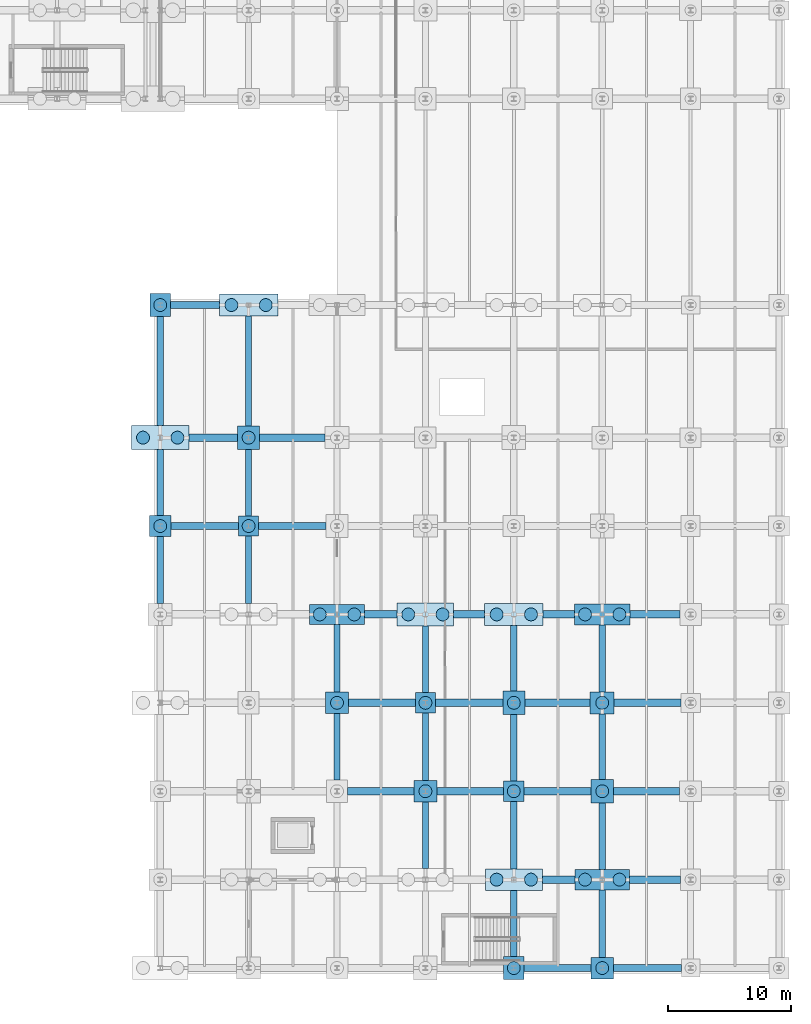
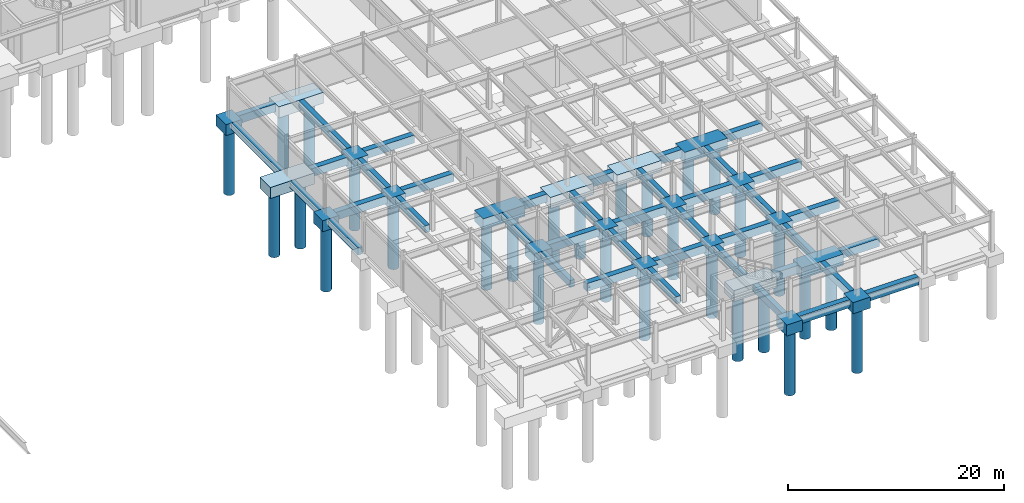
# One storey, part 9 of 54: 61 footings, 29 piles.
"""IFC4 building model written with IfcOpenShell, lengths in metres."""

from ifc_helpers import new_model, si_unit, direction, frame, origin, origin_2d, place, context, subcontext, project, spatial, polyline, rectangle, circle, outline, extrude, material, material_profile, profile_set, type_object, element, save


model = new_model("IFC4")

# Units and contexts
model_context = context("Model", 3, precision=1e-05, world=origin(), true_north=direction((0.0, 1.0)))
body_context = subcontext(model_context, "Body", "Model", "MODEL_VIEW")
ifc_project = project(units=[si_unit("LENGTHUNIT", "METRE"), si_unit("AREAUNIT", "SQUARE_METRE"), si_unit("VOLUMEUNIT", "CUBIC_METRE"), si_unit("PLANEANGLEUNIT", "RADIAN"), si_unit("MASSUNIT", "GRAM", prefix="KILO")], contexts=[model_context])

# Site, building, storey
site_placement = place(None, origin())
site = spatial("IfcSite", under=ifc_project, at=site_placement, CompositionType="ELEMENT")
building_placement = place(site_placement, origin())
building = spatial("IfcBuilding", under=site, at=building_placement, Name="Vaelcorin Mobility Hub", CompositionType="ELEMENT")
storey_placement = place(building_placement, frame((0.0, 0.0, -4.5)))
storey = spatial("IfcBuildingStorey", under=building, at=storey_placement, Name="B1", CompositionType="ELEMENT", Elevation=-4.5)

# Footings
ifc_material = material(Name="Concrete f'c 40 MPa", Category="concrete")
footing_type_1 = type_object("IfcFootingType", Name="FB-500X800", PredefinedType="FOOTING_BEAM", material=ifc_material)
footing_1_placement = place(storey_placement, frame((0.0, 0.0, -0.800048828125)))
element("IfcFooting", 1, at=footing_1_placement, inside=storey, type_object=footing_type_1, Name="Foundation Tie Beam FB-Y-374", PredefinedType="FOOTING_BEAM", context=body_context, shape_type="SweptSolid", body=[
    extrude(outline(polyline([(153.35009765625, 35.699951171875), (153.85009765625, 35.699951171875), (153.85009765625, 41.14990234375), (153.35009765625, 41.14990234375), (153.35009765625, 35.699951171875)])), origin(), (0.0, 0.0, 1.0), 0.800048828125),
])
footing_2_placement = place(storey_placement, frame((0.0, 0.0, -0.800048828125)))
element("IfcFooting", 2, at=footing_2_placement, inside=storey, type_object=footing_type_1, Name="Foundation Tie Beam FB-Y-375", PredefinedType="FOOTING_BEAM", context=body_context, shape_type="SweptSolid", body=[
    extrude(outline(polyline([(153.35009765625, 42.85009765625), (153.85009765625, 42.85009765625), (153.85009765625, 48.22509765625), (153.35009765625, 48.22509765625), (153.35009765625, 42.85009765625)])), origin(), (0.0, 0.0, 1.0), 0.800048828125),
])
footing_3_placement = place(storey_placement, frame((0.0, 0.0, -0.800048828125)))
element("IfcFooting", 3, at=footing_3_placement, inside=storey, type_object=footing_type_1, Name="Foundation Tie Beam FB-Y-376", PredefinedType="FOOTING_BEAM", context=body_context, shape_type="SweptSolid", body=[
    extrude(outline(polyline([(153.35009765625, 50.175048828125), (153.85009765625, 50.175048828125), (153.85009765625, 59.074951171875), (153.35009765625, 59.074951171875), (153.35009765625, 50.175048828125)])), origin(), (0.0, 0.0, 1.0), 0.800048828125),
])
footing_4_placement = place(storey_placement, frame((0.0, 0.0, -0.800048828125)))
element("IfcFooting", 4, at=footing_4_placement, inside=storey, type_object=footing_type_1, Name="Foundation Tie Beam FB-Y-386", PredefinedType="FOOTING_BEAM", context=body_context, shape_type="SweptSolid", body=[
    extrude(outline(polyline([(160.550048828125, 35.675048828125), (161.050048828125, 35.675048828125), (161.050048828125, 41.175048828125), (160.550048828125, 41.175048828125), (160.550048828125, 35.675048828125)])), origin(), (0.0, 0.0, 1.0), 0.800048828125),
])
footing_5_placement = place(storey_placement, frame((0.0, 0.0, -0.800048828125)))
element("IfcFooting", 5, at=footing_5_placement, inside=storey, type_object=footing_type_1, Name="Foundation Tie Beam FB-Y-387", PredefinedType="FOOTING_BEAM", context=body_context, shape_type="SweptSolid", body=[
    extrude(outline(polyline([(160.550048828125, 42.824951171875), (161.050048828125, 42.824951171875), (161.050048828125, 48.25), (160.550048828125, 48.25), (160.550048828125, 42.824951171875)])), origin(), (0.0, 0.0, 1.0), 0.800048828125),
])
footing_6_placement = place(storey_placement, frame((0.0, 0.0, -0.800048828125)))
element("IfcFooting", 6, at=footing_6_placement, inside=storey, type_object=footing_type_1, Name="Foundation Tie Beam FB-Y-388", PredefinedType="FOOTING_BEAM", context=body_context, shape_type="SweptSolid", body=[
    extrude(outline(polyline([(160.550048828125, 50.14990234375), (161.050048828125, 50.14990234375), (161.050048828125, 59.10009765625), (160.550048828125, 59.10009765625), (160.550048828125, 50.14990234375)])), origin(), (0.0, 0.0, 1.0), 0.800048828125),
])
footing_7_placement = place(storey_placement, frame((0.0, 0.0, -0.800048828125)))
element("IfcFooting", 7, at=footing_7_placement, inside=storey, type_object=footing_type_1, Name="Foundation Tie Beam FB-Y-397", PredefinedType="FOOTING_BEAM", context=body_context, shape_type="SweptSolid", body=[
    extrude(outline(polyline([(167.75, 21.324951171875), (168.25, 21.324951171875), (168.25, 26.72509765625), (167.75, 26.72509765625), (167.75, 21.324951171875)])), origin(), (0.0, 0.0, 1.0), 0.800048828125),
])
footing_8_placement = place(storey_placement, frame((0.0, 0.0, -0.800048828125)))
element("IfcFooting", 8, at=footing_8_placement, inside=storey, type_object=footing_type_1, Name="Foundation Tie Beam FB-Y-398", PredefinedType="FOOTING_BEAM", context=body_context, shape_type="SweptSolid", body=[
    extrude(outline(polyline([(167.75, 28.47509765625), (168.25, 28.47509765625), (168.25, 33.97509765625), (167.75, 33.97509765625), (167.75, 28.47509765625)])), origin(), (0.0, 0.0, 1.0), 0.800048828125),
])
footing_9_placement = place(storey_placement, frame((0.0, 0.0, -0.800048828125)))
element("IfcFooting", 9, at=footing_9_placement, inside=storey, type_object=footing_type_1, Name="Foundation Tie Beam FB-Y-409", PredefinedType="FOOTING_BEAM", context=body_context, shape_type="SweptSolid", body=[
    extrude(outline(polyline([(174.949951171875, 14.125), (175.449951171875, 14.125), (175.449951171875, 19.52490234375), (174.949951171875, 19.52490234375), (174.949951171875, 14.125)])), origin(), (0.0, 0.0, 1.0), 0.800048828125),
])
footing_10_placement = place(storey_placement, frame((0.0, 0.0, -0.800048828125)))
element("IfcFooting", 10, at=footing_10_placement, inside=storey, type_object=footing_type_1, Name="Foundation Tie Beam FB-Y-410", PredefinedType="FOOTING_BEAM", context=body_context, shape_type="SweptSolid", body=[
    extrude(outline(polyline([(174.949951171875, 21.27490234375), (175.449951171875, 21.27490234375), (175.449951171875, 26.77490234375), (174.949951171875, 26.77490234375), (174.949951171875, 21.27490234375)])), origin(), (0.0, 0.0, 1.0), 0.800048828125),
])
footing_11_placement = place(storey_placement, frame((0.0, 0.0, -0.800048828125)))
element("IfcFooting", 11, at=footing_11_placement, inside=storey, type_object=footing_type_1, Name="Foundation Tie Beam FB-Y-411", PredefinedType="FOOTING_BEAM", context=body_context, shape_type="SweptSolid", body=[
    extrude(outline(polyline([(174.949951171875, 28.425048828125), (175.449951171875, 28.425048828125), (175.449951171875, 33.85009765625), (174.949951171875, 33.85009765625), (174.949951171875, 28.425048828125)])), origin(), (0.0, 0.0, 1.0), 0.800048828125),
])
footing_12_placement = place(storey_placement, frame((0.0, 0.0, -0.800048828125)))
element("IfcFooting", 12, at=footing_12_placement, inside=storey, type_object=footing_type_1, Name="Foundation Tie Beam FB-Y-421", PredefinedType="FOOTING_BEAM", context=body_context, shape_type="SweptSolid", body=[
    extrude(outline(polyline([(182.14990234375, 6.925048828125), (182.64990234375, 6.925048828125), (182.64990234375, 12.324951171875), (182.14990234375, 12.324951171875), (182.14990234375, 6.925048828125)])), origin(), (0.0, 0.0, 1.0), 0.800048828125),
])
footing_13_placement = place(storey_placement, frame((0.0, 0.0, -0.800048828125)))
element("IfcFooting", 13, at=footing_13_placement, inside=storey, type_object=footing_type_1, Name="Foundation Tie Beam FB-Y-422", PredefinedType="FOOTING_BEAM", context=body_context, shape_type="SweptSolid", body=[
    extrude(outline(polyline([(182.14990234375, 14.074951171875), (182.64990234375, 14.074951171875), (182.64990234375, 19.574951171875), (182.14990234375, 19.574951171875), (182.14990234375, 14.074951171875)])), origin(), (0.0, 0.0, 1.0), 0.800048828125),
])
footing_14_placement = place(storey_placement, frame((0.0, 0.0, -0.800048828125)))
element("IfcFooting", 14, at=footing_14_placement, inside=storey, type_object=footing_type_1, Name="Foundation Tie Beam FB-Y-423", PredefinedType="FOOTING_BEAM", context=body_context, shape_type="SweptSolid", body=[
    extrude(outline(polyline([(182.14990234375, 21.22509765625), (182.64990234375, 21.22509765625), (182.64990234375, 26.64990234375), (182.14990234375, 26.64990234375), (182.14990234375, 21.22509765625)])), origin(), (0.0, 0.0, 1.0), 0.800048828125),
])
footing_15_placement = place(storey_placement, frame((0.0, 0.0, -0.800048828125)))
element("IfcFooting", 15, at=footing_15_placement, inside=storey, type_object=footing_type_1, Name="Foundation Tie Beam FB-Y-424", PredefinedType="FOOTING_BEAM", context=body_context, shape_type="SweptSolid", body=[
    extrude(outline(polyline([(182.14990234375, 28.550048828125), (182.64990234375, 28.550048828125), (182.64990234375, 33.89990234375), (182.14990234375, 33.89990234375), (182.14990234375, 28.550048828125)])), origin(), (0.0, 0.0, 1.0), 0.800048828125),
])
footing_16_placement = place(storey_placement, frame((0.0, 0.0, -0.800048828125)))
element("IfcFooting", 16, at=footing_16_placement, inside=storey, type_object=footing_type_1, Name="Foundation Tie Beam FB-Y-434", PredefinedType="FOOTING_BEAM", context=body_context, shape_type="SweptSolid", body=[
    extrude(outline(polyline([(189.35009765625, 6.875), (189.85009765625, 6.875), (189.85009765625, 12.375), (189.35009765625, 12.375), (189.35009765625, 6.875)])), origin(), (0.0, 0.0, 1.0), 0.800048828125),
])
footing_17_placement = place(storey_placement, frame((0.0, 0.0, -0.800048828125)))
element("IfcFooting", 17, at=footing_17_placement, inside=storey, type_object=footing_type_1, Name="Foundation Tie Beam FB-Y-435", PredefinedType="FOOTING_BEAM", context=body_context, shape_type="SweptSolid", body=[
    extrude(outline(polyline([(189.35009765625, 14.02490234375), (189.85009765625, 14.02490234375), (189.85009765625, 19.449951171875), (189.35009765625, 19.449951171875), (189.35009765625, 14.02490234375)])), origin(), (0.0, 0.0, 1.0), 0.800048828125),
])
footing_18_placement = place(storey_placement, frame((0.0, 0.0, -0.800048828125)))
element("IfcFooting", 18, at=footing_18_placement, inside=storey, type_object=footing_type_1, Name="Foundation Tie Beam FB-Y-436", PredefinedType="FOOTING_BEAM", context=body_context, shape_type="SweptSolid", body=[
    extrude(outline(polyline([(189.35009765625, 21.35009765625), (189.85009765625, 21.35009765625), (189.85009765625, 26.699951171875), (189.35009765625, 26.699951171875), (189.35009765625, 21.35009765625)])), origin(), (0.0, 0.0, 1.0), 0.800048828125),
])
footing_19_placement = place(storey_placement, frame((0.0, 0.0, -0.800048828125)))
element("IfcFooting", 19, at=footing_19_placement, inside=storey, type_object=footing_type_1, Name="Foundation Tie Beam FB-Y-437", PredefinedType="FOOTING_BEAM", context=body_context, shape_type="SweptSolid", body=[
    extrude(outline(polyline([(189.35009765625, 28.5), (189.85009765625, 28.5), (189.85009765625, 33.949951171875), (189.35009765625, 33.949951171875), (189.35009765625, 28.5)])), origin(), (0.0, 0.0, 1.0), 0.800048828125),
])
footing_type_2 = type_object("IfcFootingType", Name="FB-600X900", PredefinedType="FOOTING_BEAM", material=ifc_material)
footing_20_placement = place(storey_placement, frame((0.0, 0.0, -0.89990234375)))
element("IfcFooting", 20, at=footing_20_placement, inside=storey, type_object=footing_type_2, Name="Foundation Tie Beam FB-X-178", PredefinedType="FOOTING_BEAM", context=body_context, shape_type="SweptSolid", body=[
    extrude(outline(polyline([(183.25, 5.699951171875), (188.675048828125, 5.699951171875), (188.675048828125, 6.300048828125), (183.25, 6.300048828125), (183.25, 5.699951171875)])), origin(), (0.0, 0.0, 1.0), 0.89990234375),
])
footing_21_placement = place(storey_placement, frame((0.0, 0.0, -0.89990234375)))
element("IfcFooting", 21, at=footing_21_placement, inside=storey, type_object=footing_type_2, Name="Foundation Tie Beam FB-X-179", PredefinedType="FOOTING_BEAM", context=body_context, shape_type="SweptSolid", body=[
    extrude(outline(polyline([(190.52490234375, 5.699951171875), (196.050048828125, 5.699951171875), (196.050048828125, 6.300048828125), (190.52490234375, 6.300048828125), (190.52490234375, 5.699951171875)])), origin(), (0.0, 0.0, 1.0), 0.89990234375),
])
footing_22_placement = place(storey_placement, frame((0.0, 0.0, -0.89990234375)))
element("IfcFooting", 22, at=footing_22_placement, inside=storey, type_object=footing_type_2, Name="Foundation Tie Beam FB-X-201", PredefinedType="FOOTING_BEAM", context=body_context, shape_type="SweptSolid", body=[
    extrude(outline(polyline([(154.449951171875, 59.699951171875), (158.425048828125, 59.699951171875), (158.425048828125, 60.300048828125), (154.449951171875, 60.300048828125), (154.449951171875, 59.699951171875)])), origin(), (0.0, 0.0, 1.0), 0.89990234375),
])
footing_23_placement = place(storey_placement, frame((0.0, 0.0, -0.89990234375)))
element("IfcFooting", 23, at=footing_23_placement, inside=storey, type_object=footing_type_2, Name="Foundation Tie Beam FB-X-212", PredefinedType="FOOTING_BEAM", context=body_context, shape_type="SweptSolid", body=[
    extrude(outline(polyline([(184.72509765625, 12.89990234375), (187.375, 12.89990234375), (187.375, 13.5), (184.72509765625, 13.5), (184.72509765625, 12.89990234375)])), origin(), (0.0, 0.0, 1.0), 0.89990234375),
])
footing_24_placement = place(storey_placement, frame((0.0, 0.0, -0.89990234375)))
element("IfcFooting", 24, at=footing_24_placement, inside=storey, type_object=footing_type_2, Name="Foundation Tie Beam FB-X-213", PredefinedType="FOOTING_BEAM", context=body_context, shape_type="SweptSolid", body=[
    extrude(outline(polyline([(191.824951171875, 12.89990234375), (195.97509765625, 12.89990234375), (195.97509765625, 13.5), (191.824951171875, 13.5), (191.824951171875, 12.89990234375)])), origin(), (0.0, 0.0, 1.0), 0.89990234375),
])
footing_25_placement = place(storey_placement, frame((0.0, 0.0, -0.89990234375)))
element("IfcFooting", 25, at=footing_25_placement, inside=storey, type_object=footing_type_2, Name="Foundation Tie Beam FB-X-217", PredefinedType="FOOTING_BEAM", context=body_context, shape_type="SweptSolid", body=[
    extrude(outline(polyline([(168.85009765625, 20.10009765625), (174.27490234375, 20.10009765625), (174.27490234375, 20.699951171875), (168.85009765625, 20.699951171875), (168.85009765625, 20.10009765625)])), origin(), (0.0, 0.0, 1.0), 0.89990234375),
])
footing_26_placement = place(storey_placement, frame((0.0, 0.0, -0.89990234375)))
element("IfcFooting", 26, at=footing_26_placement, inside=storey, type_object=footing_type_2, Name="Foundation Tie Beam FB-X-218", PredefinedType="FOOTING_BEAM", context=body_context, shape_type="SweptSolid", body=[
    extrude(outline(polyline([(176.125, 20.10009765625), (181.574951171875, 20.10009765625), (181.574951171875, 20.699951171875), (176.125, 20.699951171875), (176.125, 20.10009765625)])), origin(), (0.0, 0.0, 1.0), 0.89990234375),
])
footing_27_placement = place(storey_placement, frame((0.0, 0.0, -0.89990234375)))
element("IfcFooting", 27, at=footing_27_placement, inside=storey, type_object=footing_type_2, Name="Foundation Tie Beam FB-X-219", PredefinedType="FOOTING_BEAM", context=body_context, shape_type="SweptSolid", body=[
    extrude(outline(polyline([(183.22509765625, 20.10009765625), (188.699951171875, 20.10009765625), (188.699951171875, 20.699951171875), (183.22509765625, 20.699951171875), (183.22509765625, 20.10009765625)])), origin(), (0.0, 0.0, 1.0), 0.89990234375),
])
footing_28_placement = place(storey_placement, frame((0.0, 0.0, -0.89990234375)))
element("IfcFooting", 28, at=footing_28_placement, inside=storey, type_object=footing_type_2, Name="Foundation Tie Beam FB-X-220", PredefinedType="FOOTING_BEAM", context=body_context, shape_type="SweptSolid", body=[
    extrude(outline(polyline([(190.5, 20.10009765625), (195.89990234375, 20.10009765625), (195.89990234375, 20.699951171875), (190.5, 20.699951171875), (190.5, 20.10009765625)])), origin(), (0.0, 0.0, 1.0), 0.89990234375),
])
footing_29_placement = place(storey_placement, frame((0.0, 0.0, -0.89990234375)))
element("IfcFooting", 29, at=footing_29_placement, inside=storey, type_object=footing_type_2, Name="Foundation Tie Beam FB-X-224", PredefinedType="FOOTING_BEAM", context=body_context, shape_type="SweptSolid", body=[
    extrude(outline(polyline([(168.925048828125, 27.300048828125), (174.375, 27.300048828125), (174.375, 27.89990234375), (168.925048828125, 27.89990234375), (168.925048828125, 27.300048828125)])), origin(), (0.0, 0.0, 1.0), 0.89990234375),
])
footing_30_placement = place(storey_placement, frame((0.0, 0.0, -0.89990234375)))
element("IfcFooting", 30, at=footing_30_placement, inside=storey, type_object=footing_type_2, Name="Foundation Tie Beam FB-X-225", PredefinedType="FOOTING_BEAM", context=body_context, shape_type="SweptSolid", body=[
    extrude(outline(polyline([(176.02490234375, 27.300048828125), (181.5, 27.300048828125), (181.5, 27.89990234375), (176.02490234375, 27.89990234375), (176.02490234375, 27.300048828125)])), origin(), (0.0, 0.0, 1.0), 0.89990234375),
])
footing_31_placement = place(storey_placement, frame((0.0, 0.0, -0.89990234375)))
element("IfcFooting", 31, at=footing_31_placement, inside=storey, type_object=footing_type_2, Name="Foundation Tie Beam FB-X-226", PredefinedType="FOOTING_BEAM", context=body_context, shape_type="SweptSolid", body=[
    extrude(outline(polyline([(183.300048828125, 27.300048828125), (188.625, 27.300048828125), (188.625, 27.89990234375), (183.300048828125, 27.89990234375), (183.300048828125, 27.300048828125)])), origin(), (0.0, 0.0, 1.0), 0.89990234375),
])
footing_32_placement = place(storey_placement, frame((0.0, 0.0, -0.89990234375)))
element("IfcFooting", 32, at=footing_32_placement, inside=storey, type_object=footing_type_2, Name="Foundation Tie Beam FB-X-227", PredefinedType="FOOTING_BEAM", context=body_context, shape_type="SweptSolid", body=[
    extrude(outline(polyline([(190.574951171875, 27.300048828125), (196.0, 27.300048828125), (196.0, 27.89990234375), (190.574951171875, 27.89990234375), (190.574951171875, 27.300048828125)])), origin(), (0.0, 0.0, 1.0), 0.89990234375),
])
footing_33_placement = place(storey_placement, frame((0.0, 0.0, -0.89990234375)))
element("IfcFooting", 33, at=footing_33_placement, inside=storey, type_object=footing_type_2, Name="Foundation Tie Beam FB-X-231", PredefinedType="FOOTING_BEAM", context=body_context, shape_type="SweptSolid", body=[
    extrude(outline(polyline([(170.22509765625, 34.5), (172.89990234375, 34.5), (172.89990234375, 35.10009765625), (170.22509765625, 35.10009765625), (170.22509765625, 34.5)])), origin(), (0.0, 0.0, 1.0), 0.89990234375),
])
footing_34_placement = place(storey_placement, frame((0.0, 0.0, -0.89990234375)))
element("IfcFooting", 34, at=footing_34_placement, inside=storey, type_object=footing_type_2, Name="Foundation Tie Beam FB-X-232", PredefinedType="FOOTING_BEAM", context=body_context, shape_type="SweptSolid", body=[
    extrude(outline(polyline([(177.5, 34.5), (180.02490234375, 34.5), (180.02490234375, 35.10009765625), (177.5, 35.10009765625), (177.5, 34.5)])), origin(), (0.0, 0.0, 1.0), 0.89990234375),
])
footing_35_placement = place(storey_placement, frame((0.0, 0.0, -0.89990234375)))
element("IfcFooting", 35, at=footing_35_placement, inside=storey, type_object=footing_type_2, Name="Foundation Tie Beam FB-X-233", PredefinedType="FOOTING_BEAM", context=body_context, shape_type="SweptSolid", body=[
    extrude(outline(polyline([(184.77490234375, 34.5), (187.324951171875, 34.5), (187.324951171875, 35.10009765625), (184.77490234375, 35.10009765625), (184.77490234375, 34.5)])), origin(), (0.0, 0.0, 1.0), 0.89990234375),
])
footing_36_placement = place(storey_placement, frame((0.0, 0.0, -0.89990234375)))
element("IfcFooting", 36, at=footing_36_placement, inside=storey, type_object=footing_type_2, Name="Foundation Tie Beam FB-X-234", PredefinedType="FOOTING_BEAM", context=body_context, shape_type="SweptSolid", body=[
    extrude(outline(polyline([(191.875, 34.5), (195.925048828125, 34.5), (195.925048828125, 35.10009765625), (191.875, 35.10009765625), (191.875, 34.5)])), origin(), (0.0, 0.0, 1.0), 0.89990234375),
])
footing_37_placement = place(storey_placement, frame((0.0, 0.0, -0.89990234375)))
element("IfcFooting", 37, at=footing_37_placement, inside=storey, type_object=footing_type_2, Name="Foundation Tie Beam FB-X-236", PredefinedType="FOOTING_BEAM", context=body_context, shape_type="SweptSolid", body=[
    extrude(outline(polyline([(154.47509765625, 41.699951171875), (159.97509765625, 41.699951171875), (159.97509765625, 42.300048828125), (154.47509765625, 42.300048828125), (154.47509765625, 41.699951171875)])), origin(), (0.0, 0.0, 1.0), 0.89990234375),
])
footing_38_placement = place(storey_placement, frame((0.0, 0.0, -0.89990234375)))
element("IfcFooting", 38, at=footing_38_placement, inside=storey, type_object=footing_type_2, Name="Foundation Tie Beam FB-X-237", PredefinedType="FOOTING_BEAM", context=body_context, shape_type="SweptSolid", body=[
    extrude(outline(polyline([(161.625, 41.699951171875), (167.10009765625, 41.699951171875), (167.10009765625, 42.300048828125), (161.625, 42.300048828125), (161.625, 41.699951171875)])), origin(), (0.0, 0.0, 1.0), 0.89990234375),
])
footing_39_placement = place(storey_placement, frame((0.0, 0.0, -0.89990234375)))
element("IfcFooting", 39, at=footing_39_placement, inside=storey, type_object=footing_type_2, Name="Foundation Tie Beam FB-X-243", PredefinedType="FOOTING_BEAM", context=body_context, shape_type="SweptSolid", body=[
    extrude(outline(polyline([(155.949951171875, 48.89990234375), (159.89990234375, 48.89990234375), (159.89990234375, 49.5), (155.949951171875, 49.5), (155.949951171875, 48.89990234375)])), origin(), (0.0, 0.0, 1.0), 0.89990234375),
])
footing_40_placement = place(storey_placement, frame((0.0, 0.0, -0.89990234375)))
element("IfcFooting", 40, at=footing_40_placement, inside=storey, type_object=footing_type_2, Name="Foundation Tie Beam FB-X-244", PredefinedType="FOOTING_BEAM", context=body_context, shape_type="SweptSolid", body=[
    extrude(outline(polyline([(161.699951171875, 48.89990234375), (167.02490234375, 48.89990234375), (167.02490234375, 49.5), (161.699951171875, 49.5), (161.699951171875, 48.89990234375)])), origin(), (0.0, 0.0, 1.0), 0.89990234375),
])
footing_type_3 = type_object("IfcFootingType", Name="FTG-PC-21", PredefinedType="PILE_CAP", material=ifc_material)
footing_41_placement = place(storey_placement, frame((153.60009765625, 42.0, -1.25), z_axis=(0.0, 0.0, 1.0), x_axis=(1.0, 0.0, 0.0)))
element("IfcFooting", 41, at=footing_41_placement, inside=storey, type_object=footing_type_3, Name="Pile Cap PC-21 164", PredefinedType="PILE_CAP", context=body_context, shape_type="SweptSolid", body=[
    extrude(rectangle(XDim=1.75, YDim=1.699951171875, at=origin_2d()), origin(), (0.0, 0.0, 1.0), 1.25),
])
footing_type_4 = type_object("IfcFootingType", Name="FTG-PC-23", PredefinedType="PILE_CAP", material=ifc_material)
for number, where, z_axis, x_axis, name in (
    (42, (168.0, 27.60009765625, -1.25), (0.0, 0.0, 1.0), (1.0, 0.0, 0.0), "Pile Cap PC-23 188"),
    (43, (175.199951171875, 20.39990234375, -1.25), (0.0, 0.0, 1.0), (1.0, 0.0, 0.0), "Pile Cap PC-23 202"),
    (44, (189.60009765625, 6.0, -1.25), (0.0, 0.0, 1.0), (1.0, 0.0, 0.0), "Pile Cap PC-23 230"),
):
    element("IfcFooting", number, at=place(storey_placement, frame(where, z_axis=z_axis, x_axis=x_axis)), inside=storey, type_object=footing_type_4, Name=name, PredefinedType="PILE_CAP", context=body_context, shape_type="SweptSolid", body=[
        extrude(rectangle(XDim=1.85009765625, YDim=1.75, at=origin_2d()), origin(), (0.0, 0.0, 1.0), 1.25),
    ])
footing_type_5 = type_object("IfcFootingType", Name="FTG-PC-24", PredefinedType="PILE_CAP", material=ifc_material)
for number, where, z_axis, x_axis, name in (
    (45, (160.800048828125, 60.0, -1.25), (0.0, 0.0, 1.0), (1.0, 0.0, 0.0), "Pile Cap PC-24 177"),
    (46, (182.39990234375, 34.800048828125, -1.25), (0.0, 0.0, 1.0), (1.0, 0.0, 0.0), "Pile Cap PC-24 219"),
):
    element("IfcFooting", number, at=place(storey_placement, frame(where, z_axis=z_axis, x_axis=x_axis)), inside=storey, type_object=footing_type_5, Name=name, PredefinedType="PILE_CAP", context=body_context, shape_type="SweptSolid", body=[
        extrude(rectangle(XDim=4.75, YDim=1.800048828125, at=origin_2d()), origin(), (0.0, 0.0, 1.0), 1.25),
    ])
footing_type_6 = type_object("IfcFootingType", Name="FTG-PC-25", PredefinedType="PILE_CAP", material=ifc_material)
for number, where, z_axis, x_axis, name in (
    (47, (153.60009765625, 60.0, -1.25), (0.0, 0.0, 1.0), (1.0, 0.0, 0.0), "Pile Cap PC-25 166"),
    (48, (182.39990234375, 6.0, -1.25), (0.0, 0.0, 1.0), (1.0, 0.0, 0.0), "Pile Cap PC-25 215"),
):
    element("IfcFooting", number, at=place(storey_placement, frame(where, z_axis=z_axis, x_axis=x_axis)), inside=storey, type_object=footing_type_6, Name=name, PredefinedType="PILE_CAP", context=body_context, shape_type="SweptSolid", body=[
        extrude(rectangle(XDim=1.699951171875, YDim=1.85009765625, at=origin_2d()), origin(), (0.0, 0.0, 1.0), 1.25),
    ])
footing_type_7 = type_object("IfcFootingType", Name="FTG-PC-26", PredefinedType="PILE_CAP", material=ifc_material)
for number, where, z_axis, x_axis, name in (
    (49, (160.800048828125, 49.199951171875, -1.25), (0.0, 0.0, 1.0), (1.0, 0.0, 0.0), "Pile Cap PC-26 176"),
    (50, (182.39990234375, 27.60009765625, -1.25), (0.0, 0.0, 1.0), (1.0, 0.0, 0.0), "Pile Cap PC-26 218"),
    (51, (189.60009765625, 20.39990234375, -1.25), (0.0, 0.0, 1.0), (1.0, 0.0, 0.0), "Pile Cap PC-26 232"),
):
    element("IfcFooting", number, at=place(storey_placement, frame(where, z_axis=z_axis, x_axis=x_axis)), inside=storey, type_object=footing_type_7, Name=name, PredefinedType="PILE_CAP", context=body_context, shape_type="SweptSolid", body=[
        extrude(rectangle(XDim=1.800048828125, YDim=1.89990234375, at=origin_2d()), origin(), (0.0, 0.0, 1.0), 1.25),
    ])
footing_type_8 = type_object("IfcFootingType", Name="FTG-PC-27", PredefinedType="PILE_CAP", material=ifc_material)
footing_42_placement = place(storey_placement, frame((153.60009765625, 49.199951171875, -1.25), z_axis=(0.0, 0.0, 1.0), x_axis=(1.0, 0.0, 0.0)))
element("IfcFooting", 52, at=footing_42_placement, inside=storey, type_object=footing_type_8, Name="Pile Cap PC-27 165", PredefinedType="PILE_CAP", context=body_context, shape_type="SweptSolid", body=[
    extrude(rectangle(XDim=4.699951171875, YDim=1.949951171875, at=origin_2d()), origin(), (0.0, 0.0, 1.0), 1.25),
])
footing_type_9 = type_object("IfcFootingType", Name="FTG-PC-28", PredefinedType="PILE_CAP", material=ifc_material)
for number, where, z_axis, x_axis, name in (
    (53, (160.800048828125, 42.0, -1.25), (0.0, 0.0, 1.0), (1.0, 0.0, 0.0), "Pile Cap PC-28 175"),
    (54, (175.199951171875, 27.60009765625, -1.25), (0.0, 0.0, 1.0), (1.0, 0.0, 0.0), "Pile Cap PC-28 203"),
    (55, (182.39990234375, 20.39990234375, -1.25), (0.0, 0.0, 1.0), (1.0, 0.0, 0.0), "Pile Cap PC-28 217"),
):
    element("IfcFooting", number, at=place(storey_placement, frame(where, z_axis=z_axis, x_axis=x_axis)), inside=storey, type_object=footing_type_9, Name=name, PredefinedType="PILE_CAP", context=body_context, shape_type="SweptSolid", body=[
        extrude(rectangle(XDim=1.64990234375, YDim=1.64990234375, at=origin_2d()), origin(), (0.0, 0.0, 1.0), 1.25),
    ])
footing_type_10 = type_object("IfcFootingType", Name="FTG-PC-29", PredefinedType="PILE_CAP", material=ifc_material)
footing_43_placement = place(storey_placement, frame((182.39990234375, 13.199951171875, -1.25), z_axis=(0.0, 0.0, 1.0), x_axis=(1.0, 0.0, 0.0)))
element("IfcFooting", 56, at=footing_43_placement, inside=storey, type_object=footing_type_10, Name="Pile Cap PC-29 216", PredefinedType="PILE_CAP", context=body_context, shape_type="SweptSolid", body=[
    extrude(rectangle(XDim=4.64990234375, YDim=1.75, at=origin_2d()), origin(), (0.0, 0.0, 1.0), 1.25),
])
footing_type_11 = type_object("IfcFootingType", Name="FTG-PC-30", PredefinedType="PILE_CAP", material=ifc_material)
footing_44_placement = place(storey_placement, frame((189.60009765625, 27.60009765625, -1.25), z_axis=(0.0, 0.0, 1.0), x_axis=(1.0, 0.0, 0.0)))
element("IfcFooting", 57, at=footing_44_placement, inside=storey, type_object=footing_type_11, Name="Pile Cap PC-30 233", PredefinedType="PILE_CAP", context=body_context, shape_type="SweptSolid", body=[
    extrude(rectangle(XDim=1.949951171875, YDim=1.800048828125, at=origin_2d()), origin(), (0.0, 0.0, 1.0), 1.25),
])
footing_type_12 = type_object("IfcFootingType", Name="FTG-PC-32", PredefinedType="PILE_CAP", material=ifc_material)
footing_45_placement = place(storey_placement, frame((175.199951171875, 34.800048828125, -1.25), z_axis=(0.0, 0.0, 1.0), x_axis=(1.0, 0.0, 0.0)))
element("IfcFooting", 58, at=footing_45_placement, inside=storey, type_object=footing_type_12, Name="Pile Cap PC-32 204", PredefinedType="PILE_CAP", context=body_context, shape_type="SweptSolid", body=[
    extrude(rectangle(XDim=4.60009765625, YDim=1.89990234375, at=origin_2d()), origin(), (0.0, 0.0, 1.0), 1.25),
])
footing_type_13 = type_object("IfcFootingType", Name="FTG-PC-33", PredefinedType="PILE_CAP", material=ifc_material)
for number, where, z_axis, x_axis, name in (
    (59, (168.0, 34.800048828125, -1.25), (0.0, 0.0, 1.0), (1.0, 0.0, 0.0), "Pile Cap PC-33 189"),
    (60, (189.60009765625, 13.199951171875, -1.25), (0.0, 0.0, 1.0), (1.0, 0.0, 0.0), "Pile Cap PC-33 231"),
):
    element("IfcFooting", number, at=place(storey_placement, frame(where, z_axis=z_axis, x_axis=x_axis)), inside=storey, type_object=footing_type_13, Name=name, PredefinedType="PILE_CAP", context=body_context, shape_type="SweptSolid", body=[
        extrude(rectangle(XDim=4.449951171875, YDim=1.64990234375, at=origin_2d()), origin(), (0.0, 0.0, 1.0), 1.25),
    ])
footing_type_14 = type_object("IfcFootingType", Name="FTG-PC-34", PredefinedType="PILE_CAP", material=ifc_material)
footing_46_placement = place(storey_placement, frame((189.60009765625, 34.800048828125, -1.25), z_axis=(0.0, 0.0, 1.0), x_axis=(1.0, 0.0, 0.0)))
element("IfcFooting", 61, at=footing_46_placement, inside=storey, type_object=footing_type_14, Name="Pile Cap PC-34 234", PredefinedType="PILE_CAP", context=body_context, shape_type="SweptSolid", body=[
    extrude(rectangle(XDim=4.550048828125, YDim=1.699951171875, at=origin_2d()), origin(), (0.0, 0.0, 1.0), 1.25),
])

# Piles
ifc_material_profile = material_profile(ifc_material, circle(Radius=0.52490234375, at=origin_2d()), Name="BP-D1050")
ifc_profile_set = profile_set([ifc_material_profile], Name="Concrete f'c 40 MPa")
pile_type = type_object("IfcPileType", Name="PILE-D1050", PredefinedType="BORED", material=ifc_profile_set)
for number, where, z_axis, x_axis, name in (
    (62, (153.60009765625, 42.0, -1.14990234375), (0.0, 0.0, -1.0), (1.0, 0.0, 0.0), "Bored Pile CAP-164-P1"),
    (63, (152.199951171875, 49.199951171875, -1.14990234375), (0.0, 0.0, -1.0), (1.0, 0.0, 0.0), "Bored Pile CAP-165-P1"),
    (64, (155.0, 49.199951171875, -1.14990234375), (0.0, 0.0, -1.0), (1.0, 0.0, 0.0), "Bored Pile CAP-165-P2"),
    (65, (153.60009765625, 60.0, -1.14990234375), (0.0, 0.0, -1.0), (1.0, 0.0, 0.0), "Bored Pile CAP-166-P1"),
    (66, (160.800048828125, 42.0, -1.14990234375), (0.0, 0.0, -1.0), (1.0, 0.0, 0.0), "Bored Pile CAP-175-P1"),
    (67, (160.800048828125, 49.199951171875, -1.14990234375), (0.0, 0.0, -1.0), (1.0, 0.0, 0.0), "Bored Pile CAP-176-P1"),
    (68, (159.39990234375, 60.0, -1.14990234375), (0.0, 0.0, -1.0), (1.0, 0.0, 0.0), "Bored Pile CAP-177-P1"),
    (69, (162.199951171875, 60.0, -1.14990234375), (0.0, 0.0, -1.0), (1.0, 0.0, 0.0), "Bored Pile CAP-177-P2"),
    (70, (168.0, 27.60009765625, -1.14990234375), (0.0, 0.0, -1.0), (1.0, 0.0, 0.0), "Bored Pile CAP-188-P1"),
    (71, (166.60009765625, 34.800048828125, -1.14990234375), (0.0, 0.0, -1.0), (1.0, 0.0, 0.0), "Bored Pile CAP-189-P1"),
    (72, (169.39990234375, 34.800048828125, -1.14990234375), (0.0, 0.0, -1.0), (1.0, 0.0, 0.0), "Bored Pile CAP-189-P2"),
    (73, (175.199951171875, 20.39990234375, -1.14990234375), (0.0, 0.0, -1.0), (1.0, 0.0, 0.0), "Bored Pile CAP-202-P1"),
    (74, (175.199951171875, 27.60009765625, -1.14990234375), (0.0, 0.0, -1.0), (1.0, 0.0, 0.0), "Bored Pile CAP-203-P1"),
    (75, (173.800048828125, 34.800048828125, -1.14990234375), (0.0, 0.0, -1.0), (1.0, 0.0, 0.0), "Bored Pile CAP-204-P1"),
    (76, (176.60009765625, 34.800048828125, -1.14990234375), (0.0, 0.0, -1.0), (1.0, 0.0, 0.0), "Bored Pile CAP-204-P2"),
    (77, (182.39990234375, 6.0, -1.14990234375), (0.0, 0.0, -1.0), (1.0, 0.0, 0.0), "Bored Pile CAP-215-P1"),
    (78, (181.0, 13.199951171875, -1.14990234375), (0.0, 0.0, -1.0), (1.0, 0.0, 0.0), "Bored Pile CAP-216-P1"),
    (79, (183.800048828125, 13.199951171875, -1.14990234375), (0.0, 0.0, -1.0), (1.0, 0.0, 0.0), "Bored Pile CAP-216-P2"),
    (80, (182.39990234375, 20.39990234375, -1.14990234375), (0.0, 0.0, -1.0), (1.0, 0.0, 0.0), "Bored Pile CAP-217-P1"),
    (81, (182.39990234375, 27.60009765625, -1.14990234375), (0.0, 0.0, -1.0), (1.0, 0.0, 0.0), "Bored Pile CAP-218-P1"),
    (82, (181.0, 34.800048828125, -1.14990234375), (0.0, 0.0, -1.0), (1.0, 0.0, 0.0), "Bored Pile CAP-219-P1"),
    (83, (183.800048828125, 34.800048828125, -1.14990234375), (0.0, 0.0, -1.0), (1.0, 0.0, 0.0), "Bored Pile CAP-219-P2"),
    (84, (189.60009765625, 6.0, -1.14990234375), (0.0, 0.0, -1.0), (1.0, 0.0, 0.0), "Bored Pile CAP-230-P1"),
    (85, (188.199951171875, 13.199951171875, -1.14990234375), (0.0, 0.0, -1.0), (1.0, 0.0, 0.0), "Bored Pile CAP-231-P1"),
    (86, (191.0, 13.199951171875, -1.14990234375), (0.0, 0.0, -1.0), (1.0, 0.0, 0.0), "Bored Pile CAP-231-P2"),
    (87, (189.60009765625, 20.39990234375, -1.14990234375), (0.0, 0.0, -1.0), (1.0, 0.0, 0.0), "Bored Pile CAP-232-P1"),
    (88, (189.60009765625, 27.60009765625, -1.14990234375), (0.0, 0.0, -1.0), (1.0, 0.0, 0.0), "Bored Pile CAP-233-P1"),
    (89, (188.199951171875, 34.800048828125, -1.14990234375), (0.0, 0.0, -1.0), (1.0, 0.0, 0.0), "Bored Pile CAP-234-P1"),
    (90, (191.0, 34.800048828125, -1.14990234375), (0.0, 0.0, -1.0), (1.0, 0.0, 0.0), "Bored Pile CAP-234-P2"),
):
    element("IfcPile", number, at=place(storey_placement, frame(where, z_axis=z_axis, x_axis=x_axis)), inside=storey, type_object=pile_type, Name=name, PredefinedType="BORED", context=body_context, shape_type="SweptSolid", body=[
        extrude(circle(Radius=0.52490234375, at=origin_2d()), origin(), (0.0, 0.0, 1.0), 7.35009765625),
    ])

save(model, "model.ifc")
